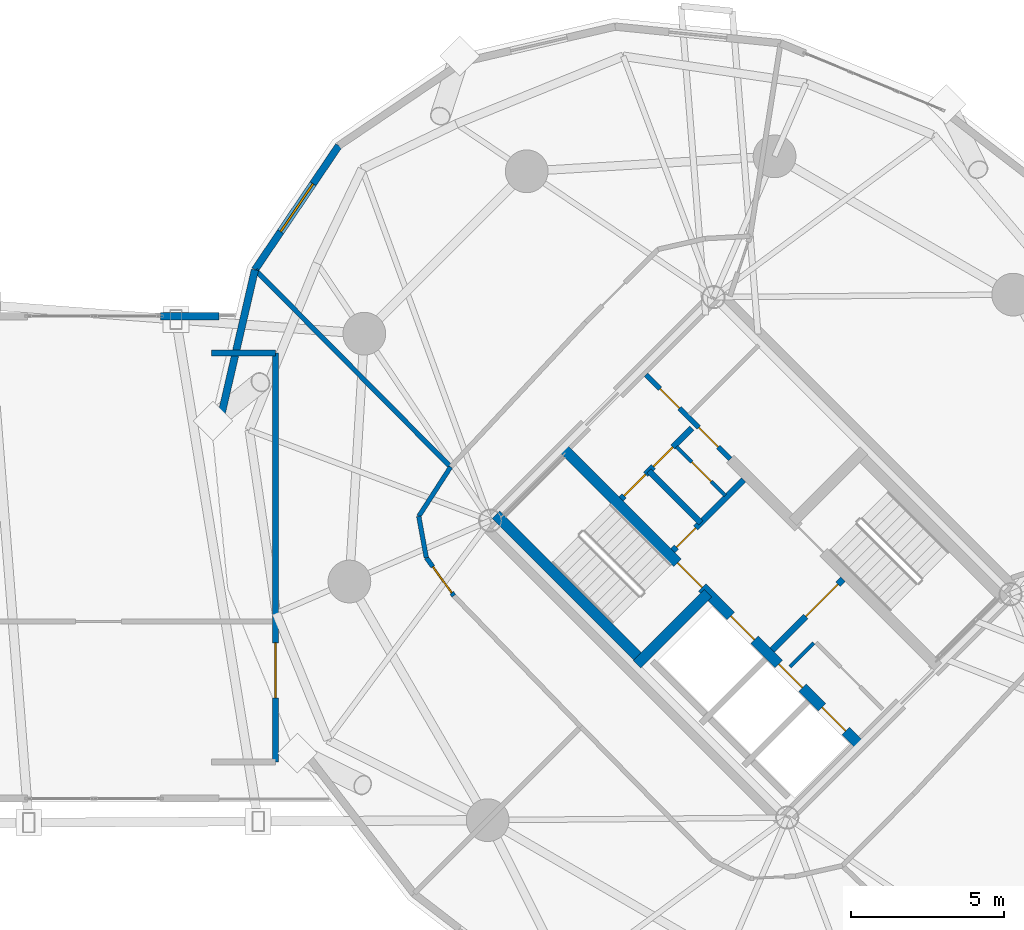
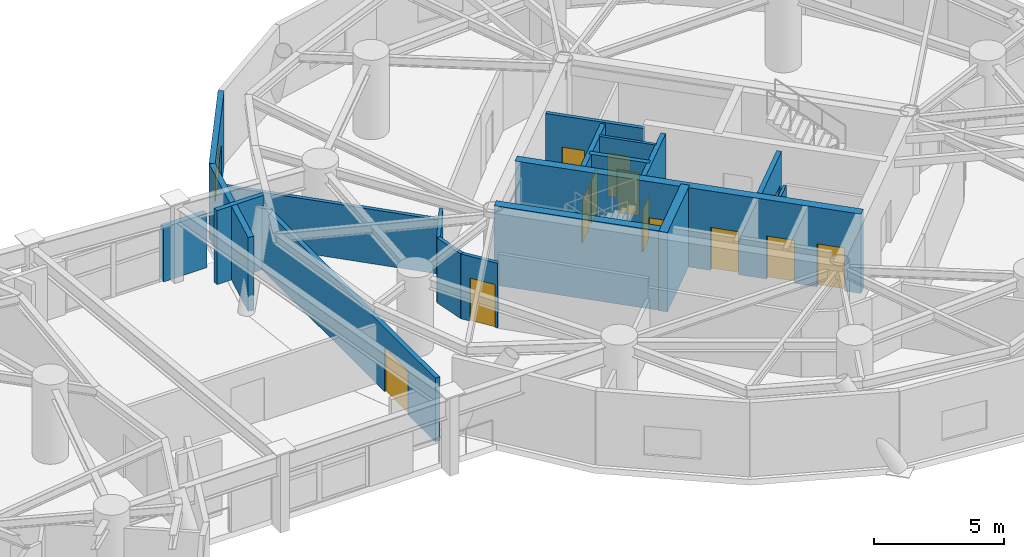
# One storey, part 16 of 20: 19 walls, 13 doors, 1 window, 14 openings.
"""IFC4 building model written with IfcOpenShell, lengths in metres."""

from ifc_helpers import new_model, si_unit, direction, frame, frame_2d, origin, place, context, subcontext, project, spatial, rectangle, extrude, source, transform, mapped, material, layer, layer_set, type_object, element, fill, save


model = new_model("IFC4")

# Units and contexts
model_context = context("Model", 3, precision=1e-05, world=origin(), true_north=direction((0.0, 1.0)))
body_context = subcontext(model_context, "Body", "Model", "MODEL_VIEW")
ifc_project = project(units=[si_unit("LENGTHUNIT", "METRE"), si_unit("AREAUNIT", "SQUARE_METRE"), si_unit("VOLUMEUNIT", "CUBIC_METRE"), si_unit("PLANEANGLEUNIT", "RADIAN"), si_unit("MASSUNIT", "GRAM", prefix="KILO")], contexts=[model_context])

# Site, building, storey
site_placement = place(None, origin())
site = spatial("IfcSite", under=ifc_project, at=site_placement, CompositionType="ELEMENT")
building_placement = place(site_placement, origin())
building = spatial("IfcBuilding", under=site, at=building_placement, Name="Cununo Teusaquillo Station Towers", CompositionType="ELEMENT")
storey_placement = place(building_placement, frame((0.0, 0.0, 140.320068359375)))
storey = spatial("IfcBuildingStorey", under=building, at=storey_placement, Name="L44", CompositionType="ELEMENT", Elevation=140.320068359375)

# Wall, openings, doors
ifc_material_1 = material(Name="Concrete C50/60", Category="concrete")
ifc_layer_1 = layer(ifc_material_1, 0.35009765625)
ifc_layer_set_1 = layer_set([ifc_layer_1], Name="Concrete C50/60")
wall_type_1 = type_object("IfcWallType", Name="WL-CORE-350", PredefinedType="SHEAR", material=ifc_layer_set_1)
wall_1_placement = place(storey_placement, frame((61.077880859375, 18.355224609375, 0.0), z_axis=(0.0, 0.0, 1.0), x_axis=(-0.707106781187, 0.707106781187, 0.0)))
wall_1 = element("IfcWall", 1, at=wall_1_placement, inside=storey, type_object=wall_type_1, Name="L44 Tower B Core Shear Wall IW", PredefinedType="SHEAR", context=body_context, shape_type="SweptSolid", body=[
    extrude(rectangle(XDim=13.75, YDim=0.35009765625, at=frame_2d((6.875, 0.0))), origin(), (0.0, 0.0, 1.0), 3.719970703125),
])
shared_shape_1 = source(origin(), body_context, "Body", "SweptSolid", [
    extrude(rectangle(XDim=1.10009765625, YDim=2.014892578125, at=frame_2d((0.550048828125, 1.00732421875))), frame((0.0, 0.18505859375, 0.0), z_axis=(0.0, -1.0, 0.0), x_axis=(1.0, 0.0, 0.0)), (0.0, 0.0, 1.0), 0.3701171875),
])
opening_1_placement = place(wall_1_placement, frame((4.875, 0.0, 0.0)))
opening_1 = element("IfcOpeningElement", 2, at=opening_1_placement, cuts=wall_1, Name="Opening LD-01", PredefinedType="OPENING", context=body_context, shape_type="MappedRepresentation", body=[
    mapped(shared_shape_1, transform((0.0, 0.0, 0.0), x_axis=(1.0, 0.0, 0.0), y_axis=(0.0, 1.0, 0.0), z_axis=(0.0, 0.0, 1.0), scale=1.0)),
])
opening_2_placement = place(wall_1_placement, frame((0.64990234375, 0.0, 0.0)))
opening_2 = element("IfcOpeningElement", 3, at=opening_2_placement, cuts=wall_1, Name="Opening LD-01", PredefinedType="OPENING", context=body_context, shape_type="MappedRepresentation", body=[
    mapped(shared_shape_1, transform((0.0, 0.0, 0.0), x_axis=(1.0, 0.0, 0.0), y_axis=(0.0, 1.0, 0.0), z_axis=(0.0, 0.0, 1.0), scale=1.0)),
])
opening_3_placement = place(wall_1_placement, frame((2.64990234375, 0.0, 0.0)))
opening_3 = element("IfcOpeningElement", 4, at=opening_3_placement, cuts=wall_1, Name="Opening LD-01", PredefinedType="OPENING", context=body_context, shape_type="MappedRepresentation", body=[
    mapped(shared_shape_1, transform((0.0, 0.0, 0.0), x_axis=(1.0, 0.0, 0.0), y_axis=(0.0, 1.0, 0.0), z_axis=(0.0, 0.0, 1.0), scale=1.0)),
])
shared_shape_2 = source(origin(), body_context, "Body", "SweptSolid", [
    extrude(rectangle(XDim=1.14990234375, YDim=2.02001953125, at=frame_2d((0.574951171875, 1.010009765625))), frame((0.0, 0.18505859375, 0.0), z_axis=(0.0, -1.0, 0.0), x_axis=(1.0, 0.0, 0.0)), (0.0, 0.0, 1.0), 0.3701171875),
])
opening_4_placement = place(wall_1_placement, frame((7.294921875, 0.0, 0.0)))
opening_4 = element("IfcOpeningElement", 5, at=opening_4_placement, cuts=wall_1, Name="Opening D-ST1", PredefinedType="OPENING", context=body_context, shape_type="MappedRepresentation", body=[
    mapped(shared_shape_2, transform((0.0, 0.0, 0.0), x_axis=(1.0, 0.0, 0.0), y_axis=(0.0, 1.0, 0.0), z_axis=(0.0, 0.0, 1.0), scale=1.0)),
])
ifc_material_2 = material(Name="Galvanised fire-rated hollow steel door assembly", Category="steel")
door_type_1 = type_object("IfcDoorType", Name="DR-LIFT-1100", OperationType="SLIDING_TO_LEFT", PredefinedType="DOOR", material=ifc_material_2)
shared_shape_3 = source(origin(), body_context, "Body", "SweptSolid", [
    extrude(rectangle(XDim=1.10009765625, YDim=2.014892578125, at=frame_2d((0.550048828125, 1.00732421875))), frame((0.0, 0.02490234375, 0.0), z_axis=(0.0, -1.0, 0.0), x_axis=(1.0, 0.0, 0.0)), (0.0, 0.0, 1.0), 0.050048828125),
])
door_1_placement = place(opening_1_placement, origin())
door_1 = element("IfcDoor", 6, at=door_1_placement, inside=storey, type_object=door_type_1, Name="L44 Lift FL-T2 Sliding Landing Door", OperationType="SLIDING_TO_RIGHT", OverallHeight=2.014892578125, OverallWidth=1.10009765625, PredefinedType="DOOR", context=body_context, shape_type="MappedRepresentation", body=[
    mapped(shared_shape_3, transform((0.0, 0.0, 0.0), x_axis=(1.0, 0.0, 0.0), y_axis=(0.0, 1.0, 0.0), z_axis=(0.0, 0.0, 1.0), scale=1.0)),
])
fill(opening_1, door_1)
door_2_placement = place(opening_2_placement, origin())
door_2 = element("IfcDoor", 7, at=door_2_placement, inside=storey, type_object=door_type_1, Name="L44 Lift PL-T2-H1 Sliding Landing Door", OperationType="SLIDING_TO_RIGHT", OverallHeight=2.014892578125, OverallWidth=1.10009765625, PredefinedType="DOOR", context=body_context, shape_type="MappedRepresentation", body=[
    mapped(shared_shape_3, transform((0.0, 0.0, 0.0), x_axis=(1.0, 0.0, 0.0), y_axis=(0.0, 1.0, 0.0), z_axis=(0.0, 0.0, 1.0), scale=1.0)),
])
fill(opening_2, door_2)
door_3_placement = place(opening_3_placement, origin())
door_3 = element("IfcDoor", 8, at=door_3_placement, inside=storey, type_object=door_type_1, Name="L44 Lift PL-T2-H2 Sliding Landing Door", OperationType="SLIDING_TO_LEFT", OverallHeight=2.014892578125, OverallWidth=1.10009765625, PredefinedType="DOOR", context=body_context, shape_type="MappedRepresentation", body=[
    mapped(shared_shape_3, transform((0.0, 0.0, 0.0), x_axis=(1.0, 0.0, 0.0), y_axis=(0.0, 1.0, 0.0), z_axis=(0.0, 0.0, 1.0), scale=1.0)),
])
fill(opening_3, door_3)
ifc_material_3 = material(Name="Galvanised fire-rated hollow steel door assembly", Category="steel")
door_type_2 = type_object("IfcDoorType", Name="DR-STAIR-1150", OperationType="NOTDEFINED", PredefinedType="DOOR", material=ifc_material_3)
shared_shape_4 = source(origin(), body_context, "Body", "SweptSolid", [
    extrude(rectangle(XDim=1.14990234375, YDim=2.02001953125, at=frame_2d((0.574951171875, 1.010009765625))), frame((0.0, 0.02490234375, 0.0), z_axis=(0.0, -1.0, 0.0), x_axis=(1.0, 0.0, 0.0)), (0.0, 0.0, 1.0), 0.050048828125),
])
door_4_placement = place(opening_4_placement, origin())
door_4 = element("IfcDoor", 9, at=door_4_placement, inside=storey, type_object=door_type_2, Name="L44 Tower B Exit Stair 1 Fire Door", OperationType="SINGLE_SWING_LEFT", OverallHeight=2.02001953125, OverallWidth=1.14990234375, PredefinedType="DOOR", context=body_context, shape_type="MappedRepresentation", body=[
    mapped(shared_shape_4, transform((0.0, 0.0, 0.0), x_axis=(1.0, 0.0, 0.0), y_axis=(0.0, 1.0, 0.0), z_axis=(0.0, 0.0, 1.0), scale=1.0)),
])
fill(opening_4, door_4)

# Walls
wall_2_placement = place(storey_placement, frame((53.922119140625, 21.14111328125, 0.0), z_axis=(0.0, 0.0, 1.0), x_axis=(-0.707088616009, 0.707124945897, 0.0)))
element("IfcWall", 10, at=wall_2_placement, inside=storey, type_object=wall_type_1, Name="L44 Tower B Core Shear Wall ST1W", PredefinedType="SHEAR", context=body_context, shape_type="SweptSolid", body=[
    extrude(rectangle(XDim=6.72021484375, YDim=0.35009765625, at=frame_2d((3.360107421875, 0.0))), origin(), (0.0, 0.0, 1.0), 3.719970703125),
])
wall_3_placement = place(storey_placement, frame((53.7841796875, 21.00341796875, 0.0), z_axis=(0.0, 0.0, 1.0), x_axis=(0.707106781187, 0.707106781187, 0.0)))
element("IfcWall", 11, at=wall_3_placement, inside=storey, type_object=wall_type_1, Name="L44 Tower B Core Shear Wall ST1S", PredefinedType="SHEAR", context=body_context, shape_type="SweptSolid", body=[
    extrude(rectangle(XDim=3.284912109375, YDim=0.35009765625, at=frame_2d((1.642578125, 0.0))), origin(), (0.0, 0.0, 1.0), 3.719970703125),
])

# Wall, opening, window
ifc_material_4 = material(Name="Precast concrete C40/50", Category="concrete")
ifc_layer_2 = layer(ifc_material_4, 0.239990234375)
ifc_layer_set_2 = layer_set([ifc_layer_2], Name="Precast concrete C40/50")
wall_type_2 = type_object("IfcWallType", Name="WL-EXT-240", PredefinedType="SOLIDWALL", material=ifc_layer_set_2)
wall_4_placement = place(storey_placement, frame((41.27099609375, 33.919921875, 0.0), z_axis=(0.0, 0.0, 1.0), x_axis=(0.559572880421, 0.828781148131, 0.0)))
wall_4 = element("IfcWall", 12, at=wall_4_placement, inside=storey, type_object=wall_type_2, Name="L44 Tower B Exterior Facade Wall C05", PredefinedType="SOLIDWALL", context=body_context, shape_type="SweptSolid", body=[
    extrude(rectangle(XDim=4.904541015625, YDim=0.239990234375, at=frame_2d((2.4521484375, 0.0))), origin(), (0.0, 0.0, 1.0), 3.46484375),
])
shared_shape_5 = source(origin(), body_context, "Body", "SweptSolid", [
    extrude(rectangle(XDim=1.89990234375, YDim=1.35009765625, at=frame_2d((0.949951171875, 0.675048828125))), frame((0.0, 0.1298828125, 0.0), z_axis=(0.0, -1.0, 0.0), x_axis=(1.0, 0.0, 0.0)), (0.0, 0.0, 1.0), 0.260009765625),
])
opening_5_placement = place(wall_4_placement, frame((1.501953125, 0.0, 0.64990234375)))
opening_5 = element("IfcOpeningElement", 13, at=opening_5_placement, cuts=wall_4, Name="Opening WN-02", PredefinedType="OPENING", context=body_context, shape_type="MappedRepresentation", body=[
    mapped(shared_shape_5, transform((0.0, 0.0, 0.0), x_axis=(1.0, 0.0, 0.0), y_axis=(0.0, 1.0, 0.0), z_axis=(0.0, 0.0, 1.0), scale=1.0)),
])
ifc_material_5 = material(Name="Operable acoustic tinted low-E double glazing", Category="glass")
window_type = type_object("IfcWindowType", Name="WIN-OPER-1900", PartitioningType="DOUBLE_PANEL_VERTICAL", PredefinedType="WINDOW", material=ifc_material_5)
shared_shape_6 = source(origin(), body_context, "Body", "SweptSolid", [
    extrude(rectangle(XDim=1.89990234375, YDim=1.35009765625, at=frame_2d((0.949951171875, 0.675048828125))), frame((0.0, 0.030029296875, 0.0), z_axis=(0.0, -1.0, 0.0), x_axis=(1.0, 0.0, 0.0)), (0.0, 0.0, 1.0), 0.06005859375),
])
window_placement = place(opening_5_placement, origin())
window = element("IfcWindow", 14, at=window_placement, inside=storey, type_object=window_type, Name="L44 Tower B Facade Window C05", OverallHeight=1.35009765625, OverallWidth=1.89990234375, PartitioningType="DOUBLE_PANEL_VERTICAL", PredefinedType="WINDOW", context=body_context, shape_type="MappedRepresentation", body=[
    mapped(shared_shape_6, transform((0.0, 0.0, 0.0), x_axis=(1.0, 0.0, 0.0), y_axis=(0.0, 1.0, 0.0), z_axis=(0.0, 0.0, 1.0), scale=1.0)),
])
fill(opening_5, window)

# Walls
wall_5_placement = place(storey_placement, frame((40.114990234375, 28.933349609375, 0.0), z_axis=(0.0, 0.0, 1.0), x_axis=(0.225834725257, 0.974165631126, 0.0)))
element("IfcWall", 15, at=wall_5_placement, inside=storey, type_object=wall_type_2, Name="L44 Tower B Exterior Facade Wall C06", PredefinedType="SOLIDWALL", context=body_context, shape_type="SweptSolid", body=[
    extrude(rectangle(XDim=5.118896484375, YDim=0.239990234375, at=frame_2d((2.5595703125, 0.0))), origin(), (0.0, 0.0, 1.0), 3.46484375),
])
wall_6_placement = place(storey_placement, frame((38.179931640625, 32.39990234375, 0.0), z_axis=(0.0, 0.0, 1.0), x_axis=(1.0, 0.0, 0.0)))
element("IfcWall", 16, at=wall_6_placement, inside=storey, type_object=wall_type_2, Name="L44 Mid-Bridge N End Spandrel B", PredefinedType="SOLIDWALL", context=body_context, shape_type="SweptSolid", body=[
    extrude(rectangle(XDim=1.920166015625, YDim=0.239990234375, at=frame_2d((0.9599609375, 0.0))), origin(), (0.0, 0.0, 1.0), 2.5419921875),
])
ifc_material_6 = material(Name="Fire-rated gypsum plasterboard partition assembly", Category="gypsum")
ifc_layer_3 = layer(ifc_material_6, 0.125)
ifc_layer_set_3 = layer_set([ifc_layer_3], Name="Fire-rated gypsum plasterboard partition assembly")
wall_type_3 = type_object("IfcWallType", Name="WL-PART-125", PredefinedType="PARTITIONING", material=ifc_layer_set_3)
wall_7_placement = place(storey_placement, frame((58.7939453125, 20.9150390625, 0.0), z_axis=(0.0, 0.0, 1.0), x_axis=(0.707106781187, 0.707106781187, 0.0)))
element("IfcWall", 17, at=wall_7_placement, inside=storey, type_object=wall_type_3, Name="L44 Tower B South-West Tall Store North Wall", PredefinedType="PARTITIONING", context=body_context, shape_type="SweptSolid", body=[
    extrude(rectangle(XDim=1.10009765625, YDim=0.125, at=frame_2d((0.550048828125, 0.0))), origin(), (0.0, 0.0, 1.0), 3.46484375),
])

# Wall, opening, door
wall_8_placement = place(storey_placement, frame((56.672607421875, 26.529296875, 0.0), z_axis=(0.0, 0.0, 1.0), x_axis=(-0.707052764397, 0.70716079385, 0.0)))
wall_8 = element("IfcWall", 18, at=wall_8_placement, inside=storey, type_object=wall_type_3, Name="L44 Tower B Core Vertical Split Wall", PredefinedType="PARTITIONING", context=body_context, shape_type="SweptSolid", body=[
    extrude(rectangle(XDim=2.260009765625, YDim=0.125, at=frame_2d((1.1298828125, 0.0))), origin(), (0.0, 0.0, 1.0), 3.46484375),
])
shared_shape_7 = source(origin(), body_context, "Body", "SweptSolid", [
    extrude(rectangle(XDim=0.89990234375, YDim=2.0048828125, at=frame_2d((0.449951171875, 1.00244140625))), frame((0.0, 0.072509765625, 0.0), z_axis=(0.0, -1.0, 0.0), x_axis=(1.0, 0.0, 0.0)), (0.0, 0.0, 1.0), 0.14501953125),
])
opening_6_placement = place(wall_8_placement, frame((0.64990234375, 0.0, 0.0)))
opening_6 = element("IfcOpeningElement", 19, at=opening_6_placement, cuts=wall_8, Name="Opening D-SR1", PredefinedType="OPENING", context=body_context, shape_type="MappedRepresentation", body=[
    mapped(shared_shape_7, transform((0.0, 0.0, 0.0), x_axis=(1.0, 0.0, 0.0), y_axis=(0.0, 1.0, 0.0), z_axis=(0.0, 0.0, 1.0), scale=1.0)),
])
ifc_material_7 = material(Name="Galvanised fire-rated hollow steel door assembly", Category="steel")
door_type_3 = type_object("IfcDoorType", Name="DR-STORE-900", OperationType="NOTDEFINED", PredefinedType="DOOR", material=ifc_material_7)
shared_shape_8 = source(origin(), body_context, "Body", "SweptSolid", [
    extrude(rectangle(XDim=0.89990234375, YDim=2.0048828125, at=frame_2d((0.449951171875, 1.00244140625))), frame((0.0, 0.02490234375, 0.0), z_axis=(0.0, -1.0, 0.0), x_axis=(1.0, 0.0, 0.0)), (0.0, 0.0, 1.0), 0.050048828125),
])
door_5_placement = place(opening_6_placement, origin())
door_5 = element("IfcDoor", 20, at=door_5_placement, inside=storey, type_object=door_type_3, Name="L44 Tower B Core Electrical Room Door", OperationType="SINGLE_SWING_LEFT", OverallHeight=2.0048828125, OverallWidth=0.89990234375, PredefinedType="DOOR", context=body_context, shape_type="MappedRepresentation", body=[
    mapped(shared_shape_8, transform((0.0, 0.0, 0.0), x_axis=(1.0, 0.0, 0.0), y_axis=(0.0, 1.0, 0.0), z_axis=(0.0, 0.0, 1.0), scale=1.0)),
])
fill(opening_6, door_5)

# Walls
ifc_material_8 = material(Name="Fire-rated gypsum plasterboard partition assembly", Category="gypsum")
ifc_layer_4 = layer(ifc_material_8, 0.14990234375)
ifc_layer_set_4 = layer_set([ifc_layer_4], Name="Fire-rated gypsum plasterboard partition assembly")
wall_type_4 = type_object("IfcWallType", Name="WL-PART-150", PredefinedType="PARTITIONING", material=ifc_layer_set_4)
wall_9_placement = place(storey_placement, frame((47.6796875, 27.462158203125, 0.0), z_axis=(0.0, 0.0, 1.0), x_axis=(-0.542097952486, -0.840315303865, 0.0)))
element("IfcWall", 21, at=wall_9_placement, inside=storey, type_object=wall_type_4, Name="L44 Tower B Corridor Ring Wall C06", PredefinedType="PARTITIONING", context=body_context, shape_type="SweptSolid", body=[
    extrude(rectangle(XDim=1.923095703125, YDim=0.14990234375, at=frame_2d((0.96142578125, 0.0))), origin(), (0.0, 0.0, 1.0), 3.034912109375),
])
wall_10_placement = place(storey_placement, frame((46.63720703125, 25.84619140625, 0.0), z_axis=(0.0, 0.0, 1.0), x_axis=(0.179617307107, -0.983736561782, 0.0)))
element("IfcWall", 22, at=wall_10_placement, inside=storey, type_object=wall_type_4, Name="L44 Tower B Corridor Ring Wall C07", PredefinedType="PARTITIONING", context=body_context, shape_type="SweptSolid", body=[
    extrude(rectangle(XDim=1.379638671875, YDim=0.14990234375, at=frame_2d((0.68994140625, 0.0))), origin(), (0.0, 0.0, 1.0), 3.034912109375),
])

# Wall, opening, door
wall_11_placement = place(storey_placement, frame((46.885009765625, 24.489013671875, 0.0), z_axis=(0.0, 0.0, 1.0), x_axis=(0.585716430945, -0.810516047047, 0.0)))
wall_11 = element("IfcWall", 23, at=wall_11_placement, inside=storey, type_object=wall_type_4, Name="L44 Tower B Corridor Ring Wall C08", PredefinedType="PARTITIONING", context=body_context, shape_type="SweptSolid", body=[
    extrude(rectangle(XDim=1.538818359375, YDim=0.14990234375, at=frame_2d((0.76953125, 0.0))), origin(), (0.0, 0.0, 1.0), 3.034912109375),
])
shared_shape_9 = source(origin(), body_context, "Body", "SweptSolid", [
    extrude(rectangle(XDim=1.050048828125, YDim=2.014892578125, at=frame_2d((0.52490234375, 1.00732421875))), frame((0.0, 0.0849609375, 0.0), z_axis=(0.0, -1.0, 0.0), x_axis=(1.0, 0.0, 0.0)), (0.0, 0.0, 1.0), 0.169921875),
])
opening_7_placement = place(wall_11_placement, frame((0.36865234375, 0.0, 0.0)))
opening_7 = element("IfcOpeningElement", 24, at=opening_7_placement, cuts=wall_11, Name="Opening D-SU1", PredefinedType="OPENING", context=body_context, shape_type="MappedRepresentation", body=[
    mapped(shared_shape_9, transform((0.0, 0.0, 0.0), x_axis=(1.0, 0.0, 0.0), y_axis=(0.0, 1.0, 0.0), z_axis=(0.0, 0.0, 1.0), scale=1.0)),
])
ifc_material_9 = material(Name="Acoustic solid-core hardwood leaf assembly", Category="wood")
door_type_4 = type_object("IfcDoorType", Name="DR-SUITE-1050", OperationType="NOTDEFINED", PredefinedType="DOOR", material=ifc_material_9)
shared_shape_10 = source(origin(), body_context, "Body", "SweptSolid", [
    extrude(rectangle(XDim=1.050048828125, YDim=2.014892578125, at=frame_2d((0.52490234375, 1.00732421875))), frame((0.0, 0.02490234375, 0.0), z_axis=(0.0, -1.0, 0.0), x_axis=(1.0, 0.0, 0.0)), (0.0, 0.0, 1.0), 0.050048828125),
])
door_6_placement = place(opening_7_placement, origin())
door_6 = element("IfcDoor", 25, at=door_6_placement, inside=storey, type_object=door_type_4, Name="L44 Tower B Andean Coffee & Pastry Salon Entrance Door", OperationType="SINGLE_SWING_LEFT", OverallHeight=2.014892578125, OverallWidth=1.050048828125, PredefinedType="DOOR", context=body_context, shape_type="MappedRepresentation", body=[
    mapped(shared_shape_10, transform((0.0, 0.0, 0.0), x_axis=(1.0, 0.0, 0.0), y_axis=(0.0, 1.0, 0.0), z_axis=(0.0, 0.0, 1.0), scale=1.0)),
])
fill(opening_7, door_6)

# Wall, openings, doors
ifc_material_10 = material(Name="Fire-rated gypsum plasterboard partition assembly", Category="gypsum")
ifc_layer_5 = layer(ifc_material_10, 0.159912109375)
ifc_layer_set_5 = layer_set([ifc_layer_5], Name="Fire-rated gypsum plasterboard partition assembly")
wall_type_5 = type_object("IfcWallType", Name="WL-PART-160", PredefinedType="PARTITIONING", material=ifc_layer_set_5)
wall_12_placement = place(storey_placement, frame((56.8388671875, 27.727783203125, 0.0), z_axis=(0.0, 0.0, 1.0), x_axis=(-0.707106781187, 0.707106781187, 0.0)))
wall_12 = element("IfcWall", 26, at=wall_12_placement, inside=storey, type_object=wall_type_5, Name="L44 Tower B Reclaimed Core Bay Entry Wall", PredefinedType="PARTITIONING", context=body_context, shape_type="SweptSolid", body=[
    extrude(rectangle(XDim=3.900146484375, YDim=0.159912109375, at=frame_2d((1.9501953125, 0.0))), origin(), (0.0, 0.0, 1.0), 3.46484375),
])
shared_shape_11 = source(origin(), body_context, "Body", "SweptSolid", [
    extrude(rectangle(XDim=0.89990234375, YDim=2.0048828125, at=frame_2d((0.449951171875, 1.00244140625))), frame((0.0, 0.08984375, 0.0), z_axis=(0.0, -1.0, 0.0), x_axis=(1.0, 0.0, 0.0)), (0.0, 0.0, 1.0), 0.179931640625),
])
opening_8_placement = place(wall_12_placement, frame((0.550048828125, 0.0, 0.0)))
opening_8 = element("IfcOpeningElement", 27, at=opening_8_placement, cuts=wall_12, Name="Opening D-IN1", PredefinedType="OPENING", context=body_context, shape_type="MappedRepresentation", body=[
    mapped(shared_shape_11, transform((0.0, 0.0, 0.0), x_axis=(1.0, 0.0, 0.0), y_axis=(0.0, 1.0, 0.0), z_axis=(0.0, 0.0, 1.0), scale=1.0)),
])
opening_9_placement = place(wall_12_placement, frame((2.35009765625, 0.0, 0.0)))
opening_9 = element("IfcOpeningElement", 28, at=opening_9_placement, cuts=wall_12, Name="Opening D-IN1", PredefinedType="OPENING", context=body_context, shape_type="MappedRepresentation", body=[
    mapped(shared_shape_11, transform((0.0, 0.0, 0.0), x_axis=(1.0, 0.0, 0.0), y_axis=(0.0, 1.0, 0.0), z_axis=(0.0, 0.0, 1.0), scale=1.0)),
])
ifc_material_11 = material(Name="Acoustic solid-core hardwood leaf assembly", Category="wood")
door_type_5 = type_object("IfcDoorType", Name="DR-INT-900", OperationType="NOTDEFINED", PredefinedType="DOOR", material=ifc_material_11)
door_7_placement = place(opening_8_placement, origin())
door_7 = element("IfcDoor", 29, at=door_7_placement, inside=storey, type_object=door_type_5, Name="L44 Tower B Reclaimed Core Study Door", OperationType="SINGLE_SWING_RIGHT", OverallHeight=2.0048828125, OverallWidth=0.89990234375, PredefinedType="DOOR", context=body_context, shape_type="MappedRepresentation", body=[
    mapped(shared_shape_8, transform((0.0, 0.0, 0.0), x_axis=(1.0, 0.0, 0.0), y_axis=(0.0, 1.0, 0.0), z_axis=(0.0, 0.0, 1.0), scale=1.0)),
])
fill(opening_8, door_7)
door_8_placement = place(opening_9_placement, origin())
door_8 = element("IfcDoor", 30, at=door_8_placement, inside=storey, type_object=door_type_5, Name="L44 Tower B Reclaimed Core Pantry Door", OperationType="SINGLE_SWING_LEFT", OverallHeight=2.0048828125, OverallWidth=0.89990234375, PredefinedType="DOOR", context=body_context, shape_type="MappedRepresentation", body=[
    mapped(shared_shape_8, transform((0.0, 0.0, 0.0), x_axis=(1.0, 0.0, 0.0), y_axis=(0.0, 1.0, 0.0), z_axis=(0.0, 0.0, 1.0), scale=1.0)),
])
fill(opening_9, door_8)

# Wall
wall_13_placement = place(storey_placement, frame((47.6796875, 27.462158203125, 0.0), z_axis=(0.0, 0.0, 1.0), x_axis=(-0.703913074907, 0.710286127539, 0.0)))
element("IfcWall", 31, at=wall_13_placement, inside=storey, type_object=wall_type_5, Name="L44 Tower B Radial Suite Partition R02", PredefinedType="PARTITIONING", context=body_context, shape_type="SweptSolid", body=[
    extrude(rectangle(XDim=9.0791015625, YDim=0.159912109375, at=frame_2d((4.53955078125, 0.0))), origin(), (0.0, 0.0, 1.0), 2.5419921875),
])

# Wall, opening, door
ifc_material_12 = material(Name="Fire-rated gypsum plasterboard partition assembly", Category="gypsum")
ifc_layer_6 = layer(ifc_material_12, 0.199951171875)
ifc_layer_set_6 = layer_set([ifc_layer_6], Name="Fire-rated gypsum plasterboard partition assembly")
wall_type_6 = type_object("IfcWallType", Name="WL-PART-200", PredefinedType="PARTITIONING", material=ifc_layer_set_6)
wall_14_placement = place(storey_placement, frame((41.949951171875, 17.800048828125, 0.0), z_axis=(0.0, 0.0, 1.0), x_axis=(0.0, 1.0, 0.0)))
wall_14 = element("IfcWall", 32, at=wall_14_placement, inside=storey, type_object=wall_type_6, Name="L44 Mid-Bridge T2 Fire Portal Wall", PredefinedType="PARTITIONING", context=body_context, shape_type="SweptSolid", body=[
    extrude(rectangle(XDim=13.39990234375, YDim=0.199951171875, at=frame_2d((6.699951171875, 0.0))), origin(), (0.0, 0.0, 1.0), 2.989013671875),
])
shared_shape_12 = source(origin(), body_context, "Body", "SweptSolid", [
    extrude(rectangle(XDim=1.800048828125, YDim=2.050048828125, at=frame_2d((0.89990234375, 1.02490234375))), frame((0.0, 0.10986328125, 0.0), z_axis=(0.0, -1.0, 0.0), x_axis=(1.0, 0.0, 0.0)), (0.0, 0.0, 1.0), 0.219970703125),
])
opening_10_placement = place(wall_14_placement, frame((2.10009765625, 0.0, 0.0)))
opening_10 = element("IfcOpeningElement", 33, at=opening_10_placement, cuts=wall_14, Name="Opening D-BG1", PredefinedType="OPENING", context=body_context, shape_type="MappedRepresentation", body=[
    mapped(shared_shape_12, transform((0.0, 0.0, 0.0), x_axis=(1.0, 0.0, 0.0), y_axis=(0.0, 1.0, 0.0), z_axis=(0.0, 0.0, 1.0), scale=1.0)),
])
ifc_material_13 = material(Name="Galvanised fire-rated hollow steel door assembly", Category="steel")
door_type_6 = type_object("IfcDoorType", Name="DR-BRIDGE-1800", OperationType="DOUBLE_DOOR_SINGLE_SWING", PredefinedType="DOOR", material=ifc_material_13)
shared_shape_13 = source(origin(), body_context, "Body", "SweptSolid", [
    extrude(rectangle(XDim=1.800048828125, YDim=2.050048828125, at=frame_2d((0.89990234375, 1.02490234375))), frame((0.0, 0.02490234375, 0.0), z_axis=(0.0, -1.0, 0.0), x_axis=(1.0, 0.0, 0.0)), (0.0, 0.0, 1.0), 0.050048828125),
])
door_9_placement = place(opening_10_placement, origin())
door_9 = element("IfcDoor", 34, at=door_9_placement, inside=storey, type_object=door_type_6, Name="L44 Mid-Bridge T2 Portal Fire Door", OperationType="DOUBLE_DOOR_SINGLE_SWING", OverallHeight=2.050048828125, OverallWidth=1.800048828125, PredefinedType="DOOR", context=body_context, shape_type="MappedRepresentation", body=[
    mapped(shared_shape_13, transform((0.0, 0.0, 0.0), x_axis=(1.0, 0.0, 0.0), y_axis=(0.0, 1.0, 0.0), z_axis=(0.0, 0.0, 1.0), scale=1.0)),
])
fill(opening_10, door_9)

# Wall
wall_15_placement = place(storey_placement, frame((39.85009765625, 31.199951171875, 0.0), z_axis=(0.0, 0.0, 1.0), x_axis=(1.0, 0.0, 0.0)))
element("IfcWall", 35, at=wall_15_placement, inside=storey, type_object=wall_type_6, Name="L44 Mid-Bridge Portal Return Wall EN", PredefinedType="PARTITIONING", context=body_context, shape_type="SweptSolid", body=[
    extrude(rectangle(XDim=2.099853515625, YDim=0.199951171875, at=frame_2d((1.0498046875, 0.0))), origin(), (0.0, 0.0, 1.0), 3.46484375),
])

# Wall, opening, door
wall_16_placement = place(storey_placement, frame((58.214111328125, 21.466552734375, 0.0), z_axis=(0.0, 0.0, 1.0), x_axis=(0.707106781187, 0.707106781187, 0.0)))
wall_16 = element("IfcWall", 36, at=wall_16_placement, inside=storey, type_object=wall_type_6, Name="L44 Tower B Firefighting Lift Lobby South Fire Wall", PredefinedType="PARTITIONING", context=body_context, shape_type="SweptSolid", body=[
    extrude(rectangle(XDim=3.280029296875, YDim=0.199951171875, at=frame_2d((1.64013671875, 0.0))), origin(), (0.0, 0.0, 1.0), 3.46484375),
])
shared_shape_14 = source(origin(), body_context, "Body", "SweptSolid", [
    extrude(rectangle(XDim=1.5, YDim=2.02001953125, at=frame_2d((0.75, 1.010009765625))), frame((0.0, 0.10986328125, 0.0), z_axis=(0.0, -1.0, 0.0), x_axis=(1.0, 0.0, 0.0)), (0.0, 0.0, 1.0), 0.219970703125),
])
opening_11_placement = place(wall_16_placement, frame((1.550048828125, 0.0, 0.0)))
opening_11 = element("IfcOpeningElement", 37, at=opening_11_placement, cuts=wall_16, Name="Opening D-LB1", PredefinedType="OPENING", context=body_context, shape_type="MappedRepresentation", body=[
    mapped(shared_shape_14, transform((0.0, 0.0, 0.0), x_axis=(1.0, 0.0, 0.0), y_axis=(0.0, 1.0, 0.0), z_axis=(0.0, 0.0, 1.0), scale=1.0)),
])
ifc_material_14 = material(Name="Galvanised fire-rated hollow steel door assembly", Category="steel")
door_type_7 = type_object("IfcDoorType", Name="DR-LOBBY-1500", OperationType="DOUBLE_DOOR_SINGLE_SWING", PredefinedType="DOOR", material=ifc_material_14)
shared_shape_15 = source(origin(), body_context, "Body", "SweptSolid", [
    extrude(rectangle(XDim=1.5, YDim=2.02001953125, at=frame_2d((0.75, 1.010009765625))), frame((0.0, 0.02490234375, 0.0), z_axis=(0.0, -1.0, 0.0), x_axis=(1.0, 0.0, 0.0)), (0.0, 0.0, 1.0), 0.050048828125),
])
door_10_placement = place(opening_11_placement, origin())
door_10 = element("IfcDoor", 38, at=door_10_placement, inside=storey, type_object=door_type_7, Name="L44 Tower B Firefighting Lift Lobby South Fire Door", OperationType="DOUBLE_DOOR_SINGLE_SWING", OverallHeight=2.02001953125, OverallWidth=1.5, PredefinedType="DOOR", context=body_context, shape_type="MappedRepresentation", body=[
    mapped(shared_shape_15, transform((0.0, 0.0, 0.0), x_axis=(1.0, 0.0, 0.0), y_axis=(0.0, 1.0, 0.0), z_axis=(0.0, 0.0, 1.0), scale=1.0)),
])
fill(opening_11, door_10)

wall_17_placement = place(storey_placement, frame((54.96142578125, 24.71923828125, 0.0), z_axis=(0.0, 0.0, 1.0), x_axis=(0.707106781187, 0.707106781187, 0.0)))
wall_17 = element("IfcWall", 39, at=wall_17_placement, inside=storey, type_object=wall_type_6, Name="L44 Tower B Firefighting Lift Lobby North Fire Wall", PredefinedType="PARTITIONING", context=body_context, shape_type="SweptSolid", body=[
    extrude(rectangle(XDim=3.280029296875, YDim=0.199951171875, at=frame_2d((1.64013671875, 0.0))), origin(), (0.0, 0.0, 1.0), 3.46484375),
])
shared_shape_16 = source(origin(), body_context, "Body", "SweptSolid", [
    extrude(rectangle(XDim=0.89990234375, YDim=2.0048828125, at=frame_2d((0.449951171875, 1.00244140625))), frame((0.0, 0.10986328125, 0.0), z_axis=(0.0, -1.0, 0.0), x_axis=(1.0, 0.0, 0.0)), (0.0, 0.0, 1.0), 0.219970703125),
])
opening_12_placement = place(wall_17_placement, frame((0.159912109375, 0.0, 0.0)))
opening_12 = element("IfcOpeningElement", 40, at=opening_12_placement, cuts=wall_17, Name="Opening D-SR1", PredefinedType="OPENING", context=body_context, shape_type="MappedRepresentation", body=[
    mapped(shared_shape_16, transform((0.0, 0.0, 0.0), x_axis=(1.0, 0.0, 0.0), y_axis=(0.0, 1.0, 0.0), z_axis=(0.0, 0.0, 1.0), scale=1.0)),
])
door_11_placement = place(opening_12_placement, origin())
door_11 = element("IfcDoor", 41, at=door_11_placement, inside=storey, type_object=door_type_3, Name="L44 Tower B Stair 1 Protected Vestibule South Door", OperationType="SINGLE_SWING_LEFT", OverallHeight=2.0048828125, OverallWidth=0.89990234375, PredefinedType="DOOR", context=body_context, shape_type="MappedRepresentation", body=[
    mapped(shared_shape_8, transform((0.0, 0.0, 0.0), x_axis=(1.0, 0.0, 0.0), y_axis=(0.0, 1.0, 0.0), z_axis=(0.0, 0.0, 1.0), scale=1.0)),
])
fill(opening_12, door_11)

# Wall
wall_18_placement = place(storey_placement, frame((55.873779296875, 25.63134765625, 0.0), z_axis=(0.0, 0.0, 1.0), x_axis=(-0.707157639372, 0.707055919343, 0.0)))
element("IfcWall", 42, at=wall_18_placement, inside=storey, type_object=wall_type_6, Name="L44 Tower B Stair 1 Vestibule Partition Wall", PredefinedType="PARTITIONING", context=body_context, shape_type="SweptSolid", body=[
    extrude(rectangle(XDim=2.400146484375, YDim=0.199951171875, at=frame_2d((1.2001953125, 0.0))), origin(), (0.0, 0.0, 1.0), 3.46484375),
])

# Wall, openings, doors
wall_19_placement = place(storey_placement, frame((53.264404296875, 26.416259765625, 0.0), z_axis=(0.0, 0.0, 1.0), x_axis=(0.707106781187, 0.707106781187, 0.0)))
wall_19 = element("IfcWall", 43, at=wall_19_placement, inside=storey, type_object=wall_type_6, Name="L44 Tower B North Lift Lobby South Fire Wall", PredefinedType="PARTITIONING", context=body_context, shape_type="SweptSolid", body=[
    extrude(rectangle(XDim=3.280029296875, YDim=0.199951171875, at=frame_2d((1.64013671875, 0.0))), origin(), (0.0, 0.0, 1.0), 3.46484375),
])
shared_shape_17 = source(origin(), body_context, "Body", "SweptSolid", [
    extrude(rectangle(XDim=1.0, YDim=2.014892578125, at=frame_2d((0.5, 1.00732421875))), frame((0.0, 0.10986328125, 0.0), z_axis=(0.0, -1.0, 0.0), x_axis=(1.0, 0.0, 0.0)), (0.0, 0.0, 1.0), 0.219970703125),
])
opening_13_placement = place(wall_19_placement, frame((0.139892578125, 0.0, 0.0)))
opening_13 = element("IfcOpeningElement", 44, at=opening_13_placement, cuts=wall_19, Name="Opening D-AC1", PredefinedType="OPENING", context=body_context, shape_type="MappedRepresentation", body=[
    mapped(shared_shape_17, transform((0.0, 0.0, 0.0), x_axis=(1.0, 0.0, 0.0), y_axis=(0.0, 1.0, 0.0), z_axis=(0.0, 0.0, 1.0), scale=1.0)),
])
opening_14_placement = place(wall_19_placement, frame((1.5, 0.0, 0.0)))
opening_14 = element("IfcOpeningElement", 45, at=opening_14_placement, cuts=wall_19, Name="Opening D-SR1", PredefinedType="OPENING", context=body_context, shape_type="MappedRepresentation", body=[
    mapped(shared_shape_16, transform((0.0, 0.0, 0.0), x_axis=(1.0, 0.0, 0.0), y_axis=(0.0, 1.0, 0.0), z_axis=(0.0, 0.0, 1.0), scale=1.0)),
])
door_12_placement = place(opening_14_placement, origin())
door_12 = element("IfcDoor", 46, at=door_12_placement, inside=storey, type_object=door_type_3, Name="L44 Tower B Core Housekeeping Store Door", OperationType="SINGLE_SWING_RIGHT", OverallHeight=2.0048828125, OverallWidth=0.89990234375, PredefinedType="DOOR", context=body_context, shape_type="MappedRepresentation", body=[
    mapped(shared_shape_8, transform((0.0, 0.0, 0.0), x_axis=(1.0, 0.0, 0.0), y_axis=(0.0, 1.0, 0.0), z_axis=(0.0, 0.0, 1.0), scale=1.0)),
])
fill(opening_14, door_12)
ifc_material_15 = material(Name="Acoustic solid-core hardwood leaf assembly", Category="wood")
door_type_8 = type_object("IfcDoorType", Name="DR-ACC-1000", OperationType="NOTDEFINED", PredefinedType="DOOR", material=ifc_material_15)
shared_shape_18 = source(origin(), body_context, "Body", "SweptSolid", [
    extrude(rectangle(XDim=1.0, YDim=2.014892578125, at=frame_2d((0.5, 1.00732421875))), frame((0.0, 0.02490234375, 0.0), z_axis=(0.0, -1.0, 0.0), x_axis=(1.0, 0.0, 0.0)), (0.0, 0.0, 1.0), 0.050048828125),
])
door_13_placement = place(opening_13_placement, origin())
door_13 = element("IfcDoor", 47, at=door_13_placement, inside=storey, type_object=door_type_8, Name="L44 Tower B North Lift Lobby to Stair 1 Vestibule Door", OperationType="SINGLE_SWING_RIGHT", OverallHeight=2.014892578125, OverallWidth=1.0, PredefinedType="DOOR", context=body_context, shape_type="MappedRepresentation", body=[
    mapped(shared_shape_18, transform((0.0, 0.0, 0.0), x_axis=(1.0, 0.0, 0.0), y_axis=(0.0, 1.0, 0.0), z_axis=(0.0, 0.0, 1.0), scale=1.0)),
])
fill(opening_13, door_13)

save(model, "model.ifc")
